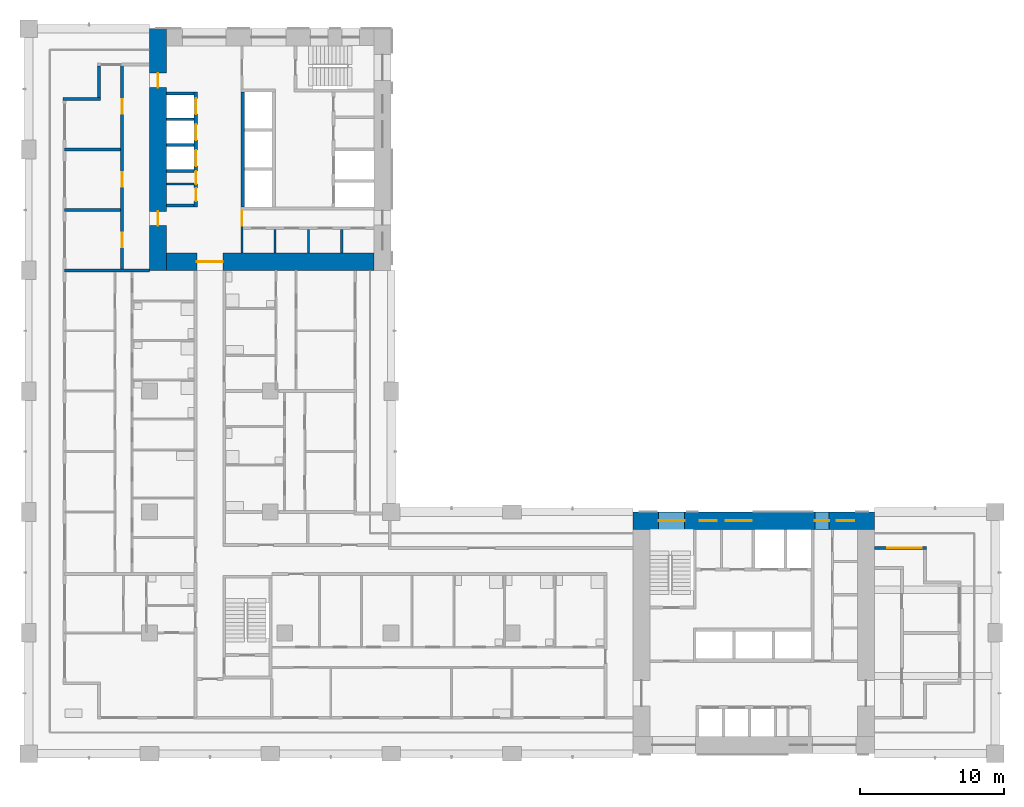
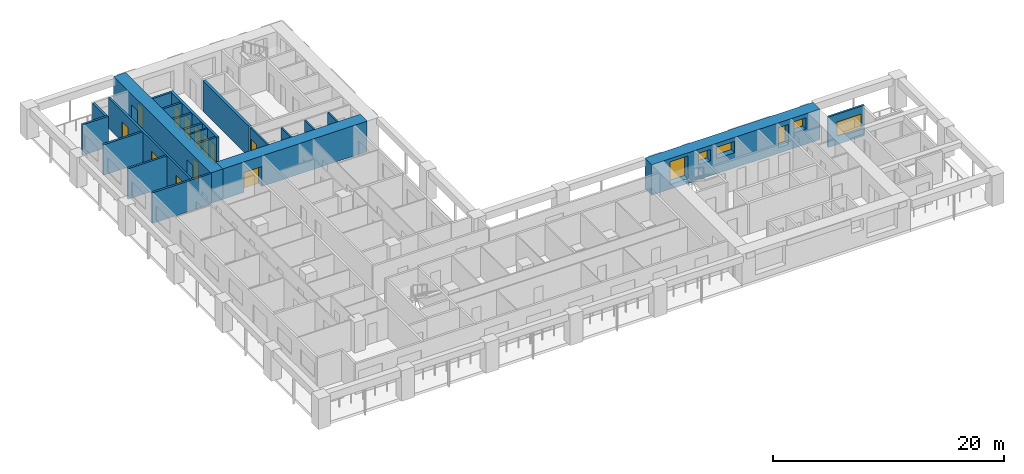
# One storey, part 7 of 17: 22 walls, 12 doors, 6 windows, 18 openings.
"""IFC4 building model written with IfcOpenShell, lengths in metres."""

import ifcopenshell
import ifcopenshell.guid

model = None  # the IFC model being written
_history = None  # IfcOwnerHistory: only IFC2X3 demands one
_inside = {}  # id of a spatial element -> (the spatial element, [elements in it])
_under = {}  # id of a project, library or spatial element -> (it, [spatial elements below it])
_declared = {}  # id of a project -> (the project, [libraries it declares])
_typed = {}  # id of a type object -> (the type object, [elements of that type])
_made_of = {}  # id of a material, layer set ... -> (it, [elements and type objects made of it])


def new_model(schema):
    """Start an empty IFC model of exactly this schema.

    Asked for "IFC4X3", IfcOpenShell would pick the latest addendum, in which some entities
    have other attributes; the version numbers below select the first issue.
    IFC2X3 requires an IfcOwnerHistory on every rooted entity: one is made here for all.
    """
    global model, _history
    if schema == "IFC4X3":
        model = ifcopenshell.file(schema_version=(4, 3, 0, 0))
    else:
        model = ifcopenshell.file(schema=schema)
    _inside.clear()
    _under.clear()
    _declared.clear()
    _typed.clear()
    _made_of.clear()
    _history = None
    if model.schema == "IFC2X3":
        org = make("IfcOrganization", Name="unknown")
        user = make(
            "IfcPersonAndOrganization",
            ThePerson=make("IfcPerson", FamilyName="unknown"),
            TheOrganization=org,
        )
        app = make(
            "IfcApplication",
            ApplicationDeveloper=org,
            Version="unknown",
            ApplicationFullName="unknown",
            ApplicationIdentifier="unknown",
        )
        _history = make(
            "IfcOwnerHistory",
            OwningUser=user,
            OwningApplication=app,
            ChangeAction="ADDED",
            CreationDate=0,
        )
    return model


def make(cls, **values):
    """One entity of the class cls with the attributes given. An attribute that is None is left unset."""
    return model.create_entity(
        cls, **{name: value for name, value in values.items() if value is not None}
    )


def rooted(cls, **values):
    """An entity with a GlobalId (a new one), such as an element, a storey or a relation."""
    return make(cls, GlobalId=ifcopenshell.guid.new(), OwnerHistory=_history, **values)


def si_unit(unit_type, name, prefix=None):
    """IfcSIUnit, for example si_unit("LENGTHUNIT", "METRE", prefix="MILLI")."""
    return make("IfcSIUnit", UnitType=unit_type, Prefix=prefix, Name=name)


def assignment(units):
    """IfcUnitAssignment: the units of a project."""
    return None if units is None else make("IfcUnitAssignment", Units=units)


def point(xyz):
    """IfcCartesianPoint."""
    return None if xyz is None else make("IfcCartesianPoint", Coordinates=xyz)


def direction(xyz):
    """IfcDirection."""
    return None if xyz is None else make("IfcDirection", DirectionRatios=xyz)


def frame(location, z_axis=None, x_axis=None):
    """IfcAxis2Placement3D, a coordinate frame: its origin and axes. An axis left out is left unset."""
    return make(
        "IfcAxis2Placement3D",
        Location=point(location),
        Axis=direction(z_axis),
        RefDirection=direction(x_axis),
    )


def frame_2d(location, x_axis=None):
    """IfcAxis2Placement2D, a coordinate frame in the plane: its origin and x axis."""
    return make(
        "IfcAxis2Placement2D", Location=point(location), RefDirection=direction(x_axis)
    )


def origin():
    """The frame at (0, 0, 0) with its axes left unset."""
    return frame((0.0, 0.0, 0.0))


def place(relative_to, where):
    """IfcLocalPlacement: puts the frame where relative to a parent placement (None: the world)."""
    return make(
        "IfcLocalPlacement", PlacementRelTo=relative_to, RelativePlacement=where
    )


def context(
    kind, dimensions, precision=None, world=None, true_north=None, identifier=None
):
    """IfcGeometricRepresentationContext, for example the 3D "Model" context."""
    return make(
        "IfcGeometricRepresentationContext",
        ContextIdentifier=identifier,
        ContextType=kind,
        CoordinateSpaceDimension=dimensions,
        Precision=precision,
        WorldCoordinateSystem=world,
        TrueNorth=true_north,
    )


def subcontext(parent, identifier, kind, view, scale=None):
    """IfcGeometricRepresentationSubContext, for example "Body" below "Model"."""
    return make(
        "IfcGeometricRepresentationSubContext",
        ContextIdentifier=identifier,
        ContextType=kind,
        ParentContext=parent,
        TargetScale=scale,
        TargetView=view,
    )


def project(units=None, contexts=None):
    """IfcProject with its units and contexts."""
    return rooted(
        "IfcProject",
        Name="project",
        RepresentationContexts=contexts,
        UnitsInContext=assignment(units),
    )


def spatial(cls, under=None, at=None, **own):
    """A site, building, storey or space (cls), placed at a placement, below another one or the project."""
    s = rooted(cls, ObjectPlacement=at, **own)
    if under is not None:
        _under.setdefault(under.id(), (under, []))[1].append(s)
    return s


def profile(cls, at=None, kind="AREA", **sizes):
    """A parametric profile (cls). Its sizes go by their IFC names, for example OverallWidth=200.0."""
    return make(cls, ProfileType=kind, Position=at, **sizes)


def rectangle(**sizes):
    """IfcRectangleProfileDef."""
    return profile("IfcRectangleProfileDef", **sizes)


def extrude(swept, where, along, depth):
    """IfcExtrudedAreaSolid: the profile swept, set in the frame where, extruded along a direction by depth."""
    return make(
        "IfcExtrudedAreaSolid",
        SweptArea=swept,
        Position=where,
        ExtrudedDirection=direction(along),
        Depth=depth,
    )


def shape(context_of_items, identifier, shape_type, items):
    """IfcShapeRepresentation: the items that make up one representation, for example the "Body"."""
    return make(
        "IfcShapeRepresentation",
        ContextOfItems=context_of_items,
        RepresentationIdentifier=identifier,
        RepresentationType=shape_type,
        Items=items,
    )


def material(Name=None, Category=None):
    """IfcMaterial."""
    return make("IfcMaterial", Name=Name, Category=Category)


def layer(
    of_material, thickness, ventilated=None, Name=None, Category=None, Priority=None
):
    """IfcMaterialLayer: one layer of a wall or slab, of a material (None: an air gap)."""
    return make(
        "IfcMaterialLayer",
        Material=of_material,
        LayerThickness=thickness,
        IsVentilated=ventilated,
        Name=Name,
        Category=Category,
        Priority=Priority,
    )


def layer_set(layers, Name=None):
    """IfcMaterialLayerSet."""
    return make("IfcMaterialLayerSet", MaterialLayers=layers, LayerSetName=Name)


def made_of(thing, what):
    """Note that an element or type object is made of a material, layer set ...; save() writes the relation."""
    if what is not None:
        _made_of.setdefault(what.id(), (what, []))[1].append(thing)
    return thing


def type_object(cls, material=None, **own):
    """A type object (cls), such as IfcWallType, which elements share."""
    return made_of(rooted(cls, **own), material)


def element(
    cls,
    number,
    at=None,
    inside=None,
    cuts=None,
    type_object=None,
    material=None,
    context=None,
    identifier="Body",
    shape_type=None,
    held_by="IfcProductDefinitionShape",
    body=None,
    shapes=None,
    **own,
):
    """One element of the class cls, such as IfcWall. Its Tag is "e" and its number.

    at: its placement. inside: the storey or other place that contains it. cuts: it is an
    opening in that element (IfcRelVoidsElement). A single representation is given by context,
    identifier, shape_type and body (its items); several are given by shapes. held_by: the class
    of the entity that holds the representations. save() writes the other relations.
    """
    e = rooted(cls, Tag="e%d" % number, ObjectPlacement=at, **own)
    if body is not None:
        shapes = [shape(context, identifier, shape_type, body)]
    if shapes is not None:
        e.Representation = make(held_by, Representations=shapes)
    if inside is not None:
        _inside.setdefault(inside.id(), (inside, []))[1].append(e)
    if cuts is not None:
        rooted(
            "IfcRelVoidsElement", RelatingBuildingElement=cuts, RelatedOpeningElement=e
        )
    if type_object is not None:
        _typed.setdefault(type_object.id(), (type_object, []))[1].append(e)
    return made_of(e, material)


def fill(opening, filler):
    """IfcRelFillsElement: the door or window that sits in an opening."""
    return rooted(
        "IfcRelFillsElement",
        RelatingOpeningElement=opening,
        RelatedBuildingElement=filler,
    )


def aggregate(whole, parts):
    """IfcRelAggregates: a whole, such as a stair, and the parts it consists of."""
    return rooted("IfcRelAggregates", RelatingObject=whole, RelatedObjects=parts)


def save(model, path):
    """Write the relations noted so far, then the file.

    IfcRelAggregates (storeys below a building ...), IfcRelContainedInSpatialStructure (elements
    in a storey), IfcRelDefinesByType, IfcRelAssociatesMaterial and IfcRelDeclares: one each for
    every whole, place, type object, material and project.
    """
    for whole, parts in _under.values():
        aggregate(whole, parts)
    for where, things in _inside.values():
        rooted(
            "IfcRelContainedInSpatialStructure",
            RelatedElements=things,
            RelatingStructure=where,
        )
    for kind, things in _typed.values():
        rooted("IfcRelDefinesByType", RelatedObjects=things, RelatingType=kind)
    for what, things in _made_of.values():
        rooted("IfcRelAssociatesMaterial", RelatedObjects=things, RelatingMaterial=what)
    for by, libraries in _declared.values():
        rooted("IfcRelDeclares", RelatingContext=by, RelatedDefinitions=libraries)
    model.write(path)


model = new_model("IFC4")

# Units and contexts
model_context = context("Model", 3, precision=1e-05, world=origin(), true_north=direction((0.0, 1.0)))
body_context = subcontext(model_context, "Body", "Model", "MODEL_VIEW")
ifc_project = project(units=[si_unit("LENGTHUNIT", "METRE"), si_unit("AREAUNIT", "SQUARE_METRE"), si_unit("VOLUMEUNIT", "CUBIC_METRE"), si_unit("PLANEANGLEUNIT", "RADIAN"), si_unit("MASSUNIT", "GRAM", prefix="KILO")], contexts=[model_context])

# Site, building, storey
site_placement = place(None, origin())
site = spatial("IfcSite", under=ifc_project, at=site_placement, CompositionType="ELEMENT")
building_placement = place(site_placement, origin())
building = spatial("IfcBuilding", under=site, at=building_placement, Name="Vermilion Gate Residences", CompositionType="ELEMENT")
storey_placement = place(building_placement, frame((0.0, 0.0, 98.699951171875)))
storey = spatial("IfcBuildingStorey", under=building, at=storey_placement, Name="L24", CompositionType="ELEMENT", Elevation=98.699951171875)

# Wall
ifc_material_1 = material(Name="Masonry blockwork", Category="masonry")
ifc_layer_1 = layer(ifc_material_1, 0.14990234375)
ifc_layer_set_1 = layer_set([ifc_layer_1], Name="BLOCKWORK PARTITION 150 EI 120")
wall_type_1 = type_object("IfcWallType", Name="BLOCKWORK PARTITION 150 EI 120", PredefinedType="PARTITIONING", material=ifc_layer_set_1)
wall_1_placement = place(storey_placement, frame((9.60009765625, 48.007568359375, 0.0), z_axis=(0.0, 0.0, 1.0), x_axis=(1.0, 0.0, 0.0)))
element("IfcWall", 1, at=wall_1_placement, inside=storey, type_object=wall_type_1, Name="Core room partition B24-SR-P0", PredefinedType="PARTITIONING", context=body_context, shape_type="SweptSolid", body=[
    extrude(rectangle(XDim=1.89990234375, YDim=0.14990234375, at=frame_2d((0.949951171875, 0.0))), origin(), (0.0, 0.0, 1.0), 3.219970703125),
])

# Wall, opening, door
wall_2_placement = place(storey_placement, frame((14.824951171875, 46.199951171875, 0.0), z_axis=(0.0, 0.0, 1.0), x_axis=(0.0, -1.0, 0.0)))
wall_2 = element("IfcWall", 2, at=wall_2_placement, inside=storey, type_object=wall_type_1, Name="Core room partition B24-ES-S", PredefinedType="PARTITIONING", context=body_context, shape_type="SweptSolid", body=[
    extrude(rectangle(XDim=3.0, YDim=0.14990234375, at=frame_2d((1.5, 0.0))), origin(), (0.0, 0.0, 1.0), 3.219970703125),
])
opening_1_placement = place(wall_2_placement, frame((0.10009765625, 0.0, 0.0)))
opening_1 = element("IfcOpeningElement", 3, at=opening_1_placement, cuts=wall_2, Name="Opening DK24115", PredefinedType="OPENING", context=body_context, shape_type="SweptSolid", body=[
    extrude(rectangle(XDim=1.0, YDim=2.10009765625, at=frame_2d((0.5, 1.050048828125))), frame((0.0, 0.0849609375, 0.0), z_axis=(0.0, -1.0, 0.0), x_axis=(1.0, 0.0, 0.0)), (0.0, 0.0, 1.0), 0.169921875),
])
ifc_material_2 = material(Name="Steel", Category="steel")
door_type_1 = type_object("IfcDoorType", Name="FIRE DOOR FD60 1000 X 2100", OperationType="SINGLE_SWING_LEFT", PredefinedType="DOOR", material=ifc_material_2)
door_1_placement = place(opening_1_placement, frame((1.0, 0.0, 0.0), z_axis=(0.0, 0.0, 1.0), x_axis=(-1.0, 0.0, 0.0)))
door_1 = element("IfcDoor", 4, at=door_1_placement, inside=storey, type_object=door_type_1, Name="Service corridor door B24", OperationType="SINGLE_SWING_LEFT", OverallHeight=2.10009765625, OverallWidth=1.0, PredefinedType="DOOR", context=body_context, shape_type="SweptSolid", body=[
    extrude(rectangle(XDim=1.0, YDim=2.10009765625, at=frame_2d((0.5, 1.050048828125))), frame((0.0, 0.02490234375, 0.0), z_axis=(0.0, -1.0, 0.0), x_axis=(1.0, 0.0, 0.0)), (0.0, 0.0, 1.0), 0.050048828125),
])
fill(opening_1, door_1)

# Walls
for number, where, z_axis, x_axis, name in (
    (5, (17.137451171875, 44.85009765625, 0.0), (0.0, 0.0, 1.0), (0.0, -1.0, 0.0), "Core room partition B24-ES-P0"),
    (6, (19.449951171875, 44.85009765625, 0.0), (0.0, 0.0, 1.0), (0.0, -1.0, 0.0), "Core room partition B24-ES-P1"),
    (7, (21.762451171875, 44.85009765625, 0.0), (0.0, 0.0, 1.0), (0.0, -1.0, 0.0), "Core room partition B24-ES-P2"),
):
    element("IfcWall", number, at=place(storey_placement, frame(where, z_axis=z_axis, x_axis=x_axis)), inside=storey, type_object=wall_type_1, Name=name, PredefinedType="PARTITIONING", context=body_context, shape_type="SweptSolid", body=[
        extrude(rectangle(XDim=1.650146484375, YDim=0.14990234375, at=frame_2d((0.8251953125, 0.0))), origin(), (0.0, 0.0, 1.0), 3.219970703125),
    ])
ifc_material_3 = material(Name="Insulated steel stud wall with terracotta rainscreen", Category="masonry")
ifc_layer_2 = layer(ifc_material_3, 0.199951171875)
ifc_layer_set_2 = layer_set([ifc_layer_2], Name="EXTERNAL WALL 200 TERRACOTTA RAINSCREEN")
wall_type_2 = type_object("IfcWallType", Name="EXTERNAL WALL 200 TERRACOTTA RAINSCREEN", PredefinedType="SOLIDWALL", material=ifc_layer_set_2)
wall_3_placement = place(storey_placement, frame((4.89990234375, 56.199951171875, 0.0), z_axis=(0.0, 0.0, 1.0), x_axis=(0.0, -1.0, 0.0)))
element("IfcWall", 8, at=wall_3_placement, inside=storey, type_object=wall_type_2, Name="External wall", PredefinedType="SOLIDWALL", context=body_context, shape_type="SweptSolid", body=[
    extrude(rectangle(XDim=2.199951171875, YDim=0.199951171875, at=frame_2d((1.10009765625, 0.0))), origin(), (0.0, 0.0, 1.0), 3.219970703125),
])
wall_4_placement = place(storey_placement, frame((5.0, 53.89990234375, 0.0), z_axis=(0.0, 0.0, 1.0), x_axis=(-1.0, 0.0, 0.0)))
element("IfcWall", 9, at=wall_4_placement, inside=storey, type_object=wall_type_2, Name="External wall", PredefinedType="SOLIDWALL", context=body_context, shape_type="SweptSolid", body=[
    extrude(rectangle(XDim=2.60009765625, YDim=0.199951171875, at=frame_2d((1.300048828125, 0.0))), origin(), (0.0, 0.0, 1.0), 3.219970703125),
])

# Wall, opening, window
wall_5_placement = place(storey_placement, frame((62.39990234375, 22.699951171875, 0.0), z_axis=(0.0, 0.0, 1.0), x_axis=(-1.0, 0.0, 0.0)))
wall_5 = element("IfcWall", 10, at=wall_5_placement, inside=storey, type_object=wall_type_2, Name="External wall", PredefinedType="SOLIDWALL", context=body_context, shape_type="SweptSolid", body=[
    extrude(rectangle(XDim=3.599853515625, YDim=0.199951171875, at=frame_2d((1.7998046875, 0.0))), origin(), (0.0, 0.0, 1.0), 3.219970703125),
])
opening_2_placement = place(wall_5_placement, frame((0.300048828125, 0.0, 0.89990234375)))
opening_2 = element("IfcOpeningElement", 11, at=opening_2_placement, cuts=wall_5, Name="Opening WE24023", PredefinedType="OPENING", context=body_context, shape_type="SweptSolid", body=[
    extrude(rectangle(XDim=2.39990234375, YDim=1.5, at=frame_2d((1.199951171875, 0.75))), frame((0.0, 0.10986328125, 0.0), z_axis=(0.0, -1.0, 0.0), x_axis=(1.0, 0.0, 0.0)), (0.0, 0.0, 1.0), 0.219970703125),
])
ifc_material_4 = material(Name="Aluminium and clear glass", Category="aluminium")
window_type_1 = type_object("IfcWindowType", Name="WINDOW 2400 X 1500", PartitioningType="SINGLE_PANEL", PredefinedType="WINDOW", material=ifc_material_4)
window_1_placement = place(opening_2_placement, origin())
window_1 = element("IfcWindow", 12, at=window_1_placement, inside=storey, type_object=window_type_1, Name="Window", OverallHeight=1.5, OverallWidth=2.39990234375, PartitioningType="SINGLE_PANEL", PredefinedType="WINDOW", context=body_context, shape_type="SweptSolid", body=[
    extrude(rectangle(XDim=2.39990234375, YDim=1.5, at=frame_2d((1.199951171875, 0.75))), frame((0.0, 0.030029296875, 0.0), z_axis=(0.0, -1.0, 0.0), x_axis=(1.0, 0.0, 0.0)), (0.0, 0.0, 1.0), 0.06005859375),
])
fill(opening_2, window_1)

# Walls
ifc_material_5 = material(Name="Fire-rated plasterboard on steel studs", Category="steel")
ifc_layer_3 = layer(ifc_material_5, 0.199951171875)
ifc_layer_set_3 = layer_set([ifc_layer_3], Name="PARTY WALL 200 EI 120")
wall_type_3 = type_object("IfcWallType", Name="PARTY WALL 200 EI 120", PredefinedType="PARTITIONING", material=ifc_layer_set_3)
wall_6_placement = place(storey_placement, frame((2.5, 42.0, 0.0), z_axis=(0.0, 0.0, 1.0), x_axis=(1.0, 0.0, 0.0)))
element("IfcWall", 13, at=wall_6_placement, inside=storey, type_object=wall_type_3, Name="Party and corridor wall", PredefinedType="PARTITIONING", context=body_context, shape_type="SweptSolid", body=[
    extrude(rectangle(XDim=5.89990234375, YDim=0.199951171875, at=frame_2d((2.949951171875, 0.0))), origin(), (0.0, 0.0, 1.0), 3.219970703125),
])
for number, where, z_axis, x_axis, name in (
    (14, (2.5, 46.199951171875, 0.0), (0.0, 0.0, 1.0), (1.0, 0.0, 0.0), "Party and corridor wall"),
    (15, (2.5, 50.39990234375, 0.0), (0.0, 0.0, 1.0), (1.0, 0.0, 0.0), "Party and corridor wall"),
):
    element("IfcWall", number, at=place(storey_placement, frame(where, z_axis=z_axis, x_axis=x_axis)), inside=storey, type_object=wall_type_3, Name=name, PredefinedType="PARTITIONING", context=body_context, shape_type="SweptSolid", body=[
        extrude(rectangle(XDim=3.89990234375, YDim=0.199951171875, at=frame_2d((1.949951171875, 0.0))), origin(), (0.0, 0.0, 1.0), 3.219970703125),
    ])

# Wall, openings, doors
wall_7_placement = place(storey_placement, frame((6.5, 42.10009765625, 0.0), z_axis=(0.0, 0.0, 1.0), x_axis=(0.0, 1.0, 0.0)))
wall_7 = element("IfcWall", 16, at=wall_7_placement, inside=storey, type_object=wall_type_3, Name="Party and corridor wall", PredefinedType="PARTITIONING", context=body_context, shape_type="SweptSolid", body=[
    extrude(rectangle(XDim=14.199951171875, YDim=0.199951171875, at=frame_2d((7.10009765625, 0.0))), origin(), (0.0, 0.0, 1.0), 3.219970703125),
])
opening_3_placement = place(wall_7_placement, frame((1.5, 0.0, 0.0)))
opening_3 = element("IfcOpeningElement", 17, at=opening_3_placement, cuts=wall_7, Name="Opening DA22022", PredefinedType="OPENING", context=body_context, shape_type="SweptSolid", body=[
    extrude(rectangle(XDim=1.0, YDim=2.10009765625, at=frame_2d((0.5, 1.050048828125))), frame((0.0, 0.10986328125, 0.0), z_axis=(0.0, -1.0, 0.0), x_axis=(1.0, 0.0, 0.0)), (0.0, 0.0, 1.0), 0.219970703125),
])
opening_4_placement = place(wall_7_placement, frame((5.699951171875, 0.0, 0.0)))
opening_4 = element("IfcOpeningElement", 18, at=opening_4_placement, cuts=wall_7, Name="Opening DA22023", PredefinedType="OPENING", context=body_context, shape_type="SweptSolid", body=[
    extrude(rectangle(XDim=1.0, YDim=2.10009765625, at=frame_2d((0.5, 1.050048828125))), frame((0.0, 0.10986328125, 0.0), z_axis=(0.0, -1.0, 0.0), x_axis=(1.0, 0.0, 0.0)), (0.0, 0.0, 1.0), 0.219970703125),
])
opening_5_placement = place(wall_7_placement, frame((10.800048828125, 0.0, 0.0)))
opening_5 = element("IfcOpeningElement", 19, at=opening_5_placement, cuts=wall_7, Name="Opening DA22024", PredefinedType="OPENING", context=body_context, shape_type="SweptSolid", body=[
    extrude(rectangle(XDim=1.0, YDim=2.10009765625, at=frame_2d((0.5, 1.050048828125))), frame((0.0, 0.10986328125, 0.0), z_axis=(0.0, -1.0, 0.0), x_axis=(1.0, 0.0, 0.0)), (0.0, 0.0, 1.0), 0.219970703125),
])
ifc_material_6 = material(Name="Steel", Category="steel")
door_type_2 = type_object("IfcDoorType", Name="ENTRANCE DOOR 1000 X 2100 FD30", OperationType="SINGLE_SWING_LEFT", PredefinedType="DOOR", material=ifc_material_6)
door_2_placement = place(opening_3_placement, origin())
door_2 = element("IfcDoor", 20, at=door_2_placement, inside=storey, type_object=door_type_2, Name="Entrance door", OperationType="SINGLE_SWING_LEFT", OverallHeight=2.10009765625, OverallWidth=1.0, PredefinedType="DOOR", context=body_context, shape_type="SweptSolid", body=[
    extrude(rectangle(XDim=1.0, YDim=2.10009765625, at=frame_2d((0.5, 1.050048828125))), frame((0.0, 0.02490234375, 0.0), z_axis=(0.0, -1.0, 0.0), x_axis=(1.0, 0.0, 0.0)), (0.0, 0.0, 1.0), 0.050048828125),
])
fill(opening_3, door_2)
door_3_placement = place(opening_4_placement, origin())
door_3 = element("IfcDoor", 21, at=door_3_placement, inside=storey, type_object=door_type_2, Name="Entrance door", OperationType="SINGLE_SWING_RIGHT", OverallHeight=2.10009765625, OverallWidth=1.0, PredefinedType="DOOR", context=body_context, shape_type="SweptSolid", body=[
    extrude(rectangle(XDim=1.0, YDim=2.10009765625, at=frame_2d((0.5, 1.050048828125))), frame((0.0, 0.02490234375, 0.0), z_axis=(0.0, -1.0, 0.0), x_axis=(1.0, 0.0, 0.0)), (0.0, 0.0, 1.0), 0.050048828125),
])
fill(opening_4, door_3)
door_4_placement = place(opening_5_placement, origin())
door_4 = element("IfcDoor", 22, at=door_4_placement, inside=storey, type_object=door_type_2, Name="Entrance door", OperationType="SINGLE_SWING_RIGHT", OverallHeight=2.10009765625, OverallWidth=1.0, PredefinedType="DOOR", context=body_context, shape_type="SweptSolid", body=[
    extrude(rectangle(XDim=1.0, YDim=2.10009765625, at=frame_2d((0.5, 1.050048828125))), frame((0.0, 0.02490234375, 0.0), z_axis=(0.0, -1.0, 0.0), x_axis=(1.0, 0.0, 0.0)), (0.0, 0.0, 1.0), 0.050048828125),
])
fill(opening_5, door_4)

# Walls
ifc_material_7 = material(Name="Concrete C60", Category="concrete")
ifc_layer_4 = layer(ifc_material_7, 0.199951171875)
ifc_layer_set_4 = layer_set([ifc_layer_4], Name="RC CORE INTERNAL WALL 200 C60")
wall_type_4 = type_object("IfcWallType", Name="RC CORE INTERNAL WALL 200 C60", PredefinedType="SHEAR", material=ifc_layer_set_4)
for number, where, z_axis, x_axis, name in (
    (23, (9.60009765625, 54.300048828125, 0.0), (0.0, 0.0, 1.0), (1.0, 0.0, 0.0), "Core internal wall B24-LR-D0"),
    (24, (9.60009765625, 52.5, 0.0), (0.0, 0.0, 1.0), (1.0, 0.0, 0.0), "Core internal wall B24-LR-D1"),
    (25, (9.60009765625, 50.699951171875, 0.0), (0.0, 0.0, 1.0), (1.0, 0.0, 0.0), "Core internal wall B24-LR-D2"),
    (26, (9.60009765625, 48.89990234375, 0.0), (0.0, 0.0, 1.0), (1.0, 0.0, 0.0), "Core internal wall B24-LR-D3"),
    (27, (9.60009765625, 46.5, 0.0), (0.0, 0.0, 1.0), (1.0, 0.0, 0.0), "Core internal wall B24-LR-DE"),
):
    element("IfcWall", number, at=place(storey_placement, frame(where, z_axis=z_axis, x_axis=x_axis)), inside=storey, type_object=wall_type_4, Name=name, PredefinedType="SHEAR", context=body_context, shape_type="SweptSolid", body=[
        extrude(rectangle(XDim=1.89990234375, YDim=0.199951171875, at=frame_2d((0.949951171875, 0.0))), origin(), (0.0, 0.0, 1.0), 3.219970703125),
    ])

# Wall, openings, doors
ifc_material_8 = material(Name="Concrete C70", Category="concrete")
ifc_layer_5 = layer(ifc_material_8, 1.199951171875)
ifc_layer_set_5 = layer_set([ifc_layer_5], Name="RC CORE WALL 1200 C70")
wall_type_5 = type_object("IfcWallType", Name="RC CORE WALL 1200 C70", PredefinedType="SHEAR", material=ifc_layer_set_5)
wall_8_placement = place(storey_placement, frame((9.0, 58.800048828125, 0.0), z_axis=(0.0, 0.0, 1.0), x_axis=(0.0, -1.0, 0.0)))
wall_8 = element("IfcWall", 28, at=wall_8_placement, inside=storey, type_object=wall_type_5, Name="Core wall B24-OUT-B0", PredefinedType="SHEAR", context=body_context, shape_type="SweptSolid", body=[
    extrude(rectangle(XDim=16.800048828125, YDim=1.199951171875, at=frame_2d((8.39990234375, 0.0))), origin(), (0.0, 0.0, 1.0), 3.219970703125),
])
opening_6_placement = place(wall_8_placement, frame((3.10009765625, 0.0, 0.0)))
opening_6 = element("IfcOpeningElement", 29, at=opening_6_placement, cuts=wall_8, Name="Opening DK24101", PredefinedType="OPENING", context=body_context, shape_type="SweptSolid", body=[
    extrude(rectangle(XDim=1.0, YDim=2.10009765625, at=frame_2d((0.5, 1.050048828125))), frame((0.0, 0.60986328125, 0.0), z_axis=(0.0, -1.0, 0.0), x_axis=(1.0, 0.0, 0.0)), (0.0, 0.0, 1.0), 1.219970703125),
])
opening_7_placement = place(wall_8_placement, frame((12.699951171875, 0.0, 0.0)))
opening_7 = element("IfcOpeningElement", 30, at=opening_7_placement, cuts=wall_8, Name="Opening DK24102", PredefinedType="OPENING", context=body_context, shape_type="SweptSolid", body=[
    extrude(rectangle(XDim=1.0, YDim=2.10009765625, at=frame_2d((0.5, 1.050048828125))), frame((0.0, 0.60986328125, 0.0), z_axis=(0.0, -1.0, 0.0), x_axis=(1.0, 0.0, 0.0)), (0.0, 0.0, 1.0), 1.219970703125),
])
door_5_placement = place(opening_6_placement, origin())
door_5 = element("IfcDoor", 31, at=door_5_placement, inside=storey, type_object=door_type_1, Name="Core lobby side door B24", OperationType="SINGLE_SWING_RIGHT", OverallHeight=2.10009765625, OverallWidth=1.0, PredefinedType="DOOR", context=body_context, shape_type="SweptSolid", body=[
    extrude(rectangle(XDim=1.0, YDim=2.10009765625, at=frame_2d((0.5, 1.050048828125))), frame((0.0, 0.02490234375, 0.0), z_axis=(0.0, -1.0, 0.0), x_axis=(1.0, 0.0, 0.0)), (0.0, 0.0, 1.0), 0.050048828125),
])
fill(opening_6, door_5)
door_6_placement = place(opening_7_placement, origin())
door_6 = element("IfcDoor", 32, at=door_6_placement, inside=storey, type_object=door_type_1, Name="Core lobby side door B24", OperationType="SINGLE_SWING_LEFT", OverallHeight=2.10009765625, OverallWidth=1.0, PredefinedType="DOOR", context=body_context, shape_type="SweptSolid", body=[
    extrude(rectangle(XDim=1.0, YDim=2.10009765625, at=frame_2d((0.5, 1.050048828125))), frame((0.0, 0.02490234375, 0.0), z_axis=(0.0, -1.0, 0.0), x_axis=(1.0, 0.0, 0.0)), (0.0, 0.0, 1.0), 0.050048828125),
])
fill(opening_7, door_6)

# Wall, opening, door
wall_9_placement = place(storey_placement, frame((9.60009765625, 42.60009765625, 0.0), z_axis=(0.0, 0.0, 1.0), x_axis=(1.0, 0.0, 0.0)))
wall_9 = element("IfcWall", 33, at=wall_9_placement, inside=storey, type_object=wall_type_5, Name="Core wall B24-OUT-BK", PredefinedType="SHEAR", context=body_context, shape_type="SweptSolid", body=[
    extrude(rectangle(XDim=14.39990234375, YDim=1.199951171875, at=frame_2d((7.199951171875, 0.0))), origin(), (0.0, 0.0, 1.0), 3.219970703125),
])
opening_8_placement = place(wall_9_placement, frame((2.10009765625, 0.0, 0.0)))
opening_8 = element("IfcOpeningElement", 34, at=opening_8_placement, cuts=wall_9, Name="Opening DK24103", PredefinedType="OPENING", context=body_context, shape_type="SweptSolid", body=[
    extrude(rectangle(XDim=1.800048828125, YDim=2.10009765625, at=frame_2d((0.89990234375, 1.050048828125))), frame((0.0, 0.60986328125, 0.0), z_axis=(0.0, -1.0, 0.0), x_axis=(1.0, 0.0, 0.0)), (0.0, 0.0, 1.0), 1.219970703125),
])
ifc_material_9 = material(Name="Steel", Category="steel")
door_type_3 = type_object("IfcDoorType", Name="CORE LOBBY DOOR FD60 1800 X 2100", OperationType="DOUBLE_DOOR_SINGLE_SWING", PredefinedType="DOOR", material=ifc_material_9)
door_7_placement = place(opening_8_placement, origin())
door_7 = element("IfcDoor", 35, at=door_7_placement, inside=storey, type_object=door_type_3, Name="Core lobby door B24", OperationType="DOUBLE_DOOR_SINGLE_SWING", OverallHeight=2.10009765625, OverallWidth=1.800048828125, PredefinedType="DOOR", context=body_context, shape_type="SweptSolid", body=[
    extrude(rectangle(XDim=1.800048828125, YDim=2.10009765625, at=frame_2d((0.89990234375, 1.050048828125))), frame((0.0, 0.02490234375, 0.0), z_axis=(0.0, -1.0, 0.0), x_axis=(1.0, 0.0, 0.0)), (0.0, 0.0, 1.0), 0.050048828125),
])
fill(opening_8, door_7)

# Wall, openings, windows
ifc_material_10 = material(Name="Concrete C70 red-oxide pigmented", Category="concrete")
ifc_layer_6 = layer(ifc_material_10, 1.199951171875)
ifc_layer_set_6 = layer_set([ifc_layer_6], Name="RC CORE WALL 1200 C70 RED OXIDE")
wall_type_6 = type_object("IfcWallType", Name="RC CORE WALL 1200 C70 RED OXIDE", PredefinedType="SHEAR", material=ifc_layer_set_6)
wall_10_placement = place(storey_placement, frame((42.0, 24.60009765625, 0.0), z_axis=(0.0, 0.0, 1.0), x_axis=(1.0, 0.0, 0.0)))
wall_10 = element("IfcWall", 36, at=wall_10_placement, inside=storey, type_object=wall_type_6, Name="Core wall A24-OUT-B1", PredefinedType="SHEAR", context=body_context, shape_type="SweptSolid", body=[
    extrude(rectangle(XDim=16.800048828125, YDim=1.199951171875, at=frame_2d((8.39990234375, 0.0))), origin(), (0.0, 0.0, 1.0), 3.219970703125),
])
opening_9_placement = place(wall_10_placement, frame((1.800048828125, 0.0, 0.5)))
opening_9 = element("IfcOpeningElement", 37, at=opening_9_placement, cuts=wall_10, Name="Opening WKA2404", PredefinedType="OPENING", context=body_context, shape_type="SweptSolid", body=[
    extrude(rectangle(XDim=1.800048828125, YDim=2.39990234375, at=frame_2d((0.89990234375, 1.199951171875))), frame((0.0, 0.60986328125, 0.0), z_axis=(0.0, -1.0, 0.0), x_axis=(1.0, 0.0, 0.0)), (0.0, 0.0, 1.0), 1.219970703125),
])
opening_10_placement = place(wall_10_placement, frame((4.643798828125, 0.0, 1.60009765625)))
opening_10 = element("IfcOpeningElement", 38, at=opening_10_placement, cuts=wall_10, Name="Opening WKA2405", PredefinedType="OPENING", context=body_context, shape_type="SweptSolid", body=[
    extrude(rectangle(XDim=1.199951171875, YDim=1.199951171875, at=frame_2d((0.60009765625, 0.60009765625))), frame((0.0, 0.60986328125, 0.0), z_axis=(0.0, -1.0, 0.0), x_axis=(1.0, 0.0, 0.0)), (0.0, 0.0, 1.0), 1.219970703125),
])
opening_11_placement = place(wall_10_placement, frame((6.449951171875, 0.0, 1.60009765625)))
opening_11 = element("IfcOpeningElement", 39, at=opening_11_placement, cuts=wall_10, Name="Opening WKA2406", PredefinedType="OPENING", context=body_context, shape_type="SweptSolid", body=[
    extrude(rectangle(XDim=1.800048828125, YDim=1.199951171875, at=frame_2d((0.89990234375, 0.60009765625))), frame((0.0, 0.60986328125, 0.0), z_axis=(0.0, -1.0, 0.0), x_axis=(1.0, 0.0, 0.0)), (0.0, 0.0, 1.0), 1.219970703125),
])
opening_12_placement = place(wall_10_placement, frame((12.64990234375, 0.0, 0.60009765625)))
opening_12 = element("IfcOpeningElement", 40, at=opening_12_placement, cuts=wall_10, Name="Opening WKA2407", PredefinedType="OPENING", context=body_context, shape_type="SweptSolid", body=[
    extrude(rectangle(XDim=1.0, YDim=2.10009765625, at=frame_2d((0.5, 1.050048828125))), frame((0.0, 0.60986328125, 0.0), z_axis=(0.0, -1.0, 0.0), x_axis=(1.0, 0.0, 0.0)), (0.0, 0.0, 1.0), 1.219970703125),
])
opening_13_placement = place(wall_10_placement, frame((14.175048828125, 0.0, 1.60009765625)))
opening_13 = element("IfcOpeningElement", 41, at=opening_13_placement, cuts=wall_10, Name="Opening WKA2408", PredefinedType="OPENING", context=body_context, shape_type="SweptSolid", body=[
    extrude(rectangle(XDim=1.199951171875, YDim=1.199951171875, at=frame_2d((0.60009765625, 0.60009765625))), frame((0.0, 0.60986328125, 0.0), z_axis=(0.0, -1.0, 0.0), x_axis=(1.0, 0.0, 0.0)), (0.0, 0.0, 1.0), 1.219970703125),
])
ifc_material_11 = material(Name="Aluminium and clear glass", Category="aluminium")
window_type_2 = type_object("IfcWindowType", Name="CORE CORRIDOR WINDOW 1000 X 2100", PartitioningType="SINGLE_PANEL", PredefinedType="WINDOW", material=ifc_material_11)
window_2_placement = place(opening_12_placement, origin())
window_2 = element("IfcWindow", 42, at=window_2_placement, inside=storey, type_object=window_type_2, Name="Core corridor window", OverallHeight=2.10009765625, OverallWidth=1.0, PartitioningType="SINGLE_PANEL", PredefinedType="WINDOW", context=body_context, shape_type="SweptSolid", body=[
    extrude(rectangle(XDim=1.0, YDim=2.10009765625, at=frame_2d((0.5, 1.050048828125))), frame((0.0, 0.030029296875, 0.0), z_axis=(0.0, -1.0, 0.0), x_axis=(1.0, 0.0, 0.0)), (0.0, 0.0, 1.0), 0.06005859375),
])
fill(opening_12, window_2)
ifc_material_12 = material(Name="Aluminium frame with louvre blades", Category="aluminium")
window_type_3 = type_object("IfcWindowType", Name="CORE LOUVRE 1200 X 1200", PartitioningType="SINGLE_PANEL", PredefinedType="WINDOW", material=ifc_material_12)
window_3_placement = place(opening_10_placement, origin())
window_3 = element("IfcWindow", 43, at=window_3_placement, inside=storey, type_object=window_type_3, Name="Core louvre", OverallHeight=1.199951171875, OverallWidth=1.199951171875, PartitioningType="SINGLE_PANEL", PredefinedType="WINDOW", context=body_context, shape_type="SweptSolid", body=[
    extrude(rectangle(XDim=1.199951171875, YDim=1.199951171875, at=frame_2d((0.60009765625, 0.60009765625))), frame((0.0, 0.030029296875, 0.0), z_axis=(0.0, -1.0, 0.0), x_axis=(1.0, 0.0, 0.0)), (0.0, 0.0, 1.0), 0.06005859375),
])
fill(opening_10, window_3)
window_4_placement = place(opening_13_placement, origin())
window_4 = element("IfcWindow", 44, at=window_4_placement, inside=storey, type_object=window_type_3, Name="Core louvre", OverallHeight=1.199951171875, OverallWidth=1.199951171875, PartitioningType="SINGLE_PANEL", PredefinedType="WINDOW", context=body_context, shape_type="SweptSolid", body=[
    extrude(rectangle(XDim=1.199951171875, YDim=1.199951171875, at=frame_2d((0.60009765625, 0.60009765625))), frame((0.0, 0.030029296875, 0.0), z_axis=(0.0, -1.0, 0.0), x_axis=(1.0, 0.0, 0.0)), (0.0, 0.0, 1.0), 0.06005859375),
])
fill(opening_13, window_4)
ifc_material_13 = material(Name="Aluminium frame with louvre blades", Category="aluminium")
window_type_4 = type_object("IfcWindowType", Name="CORE LOUVRE 1800 X 1200", PartitioningType="SINGLE_PANEL", PredefinedType="WINDOW", material=ifc_material_13)
window_5_placement = place(opening_11_placement, origin())
window_5 = element("IfcWindow", 45, at=window_5_placement, inside=storey, type_object=window_type_4, Name="Core louvre", OverallHeight=1.199951171875, OverallWidth=1.800048828125, PartitioningType="SINGLE_PANEL", PredefinedType="WINDOW", context=body_context, shape_type="SweptSolid", body=[
    extrude(rectangle(XDim=1.800048828125, YDim=1.199951171875, at=frame_2d((0.89990234375, 0.60009765625))), frame((0.0, 0.030029296875, 0.0), z_axis=(0.0, -1.0, 0.0), x_axis=(1.0, 0.0, 0.0)), (0.0, 0.0, 1.0), 0.06005859375),
])
fill(opening_11, window_5)
ifc_material_14 = material(Name="Aluminium and clear glass", Category="aluminium")
window_type_5 = type_object("IfcWindowType", Name="CORE STAIR WINDOW 1800 X 2400", PartitioningType="SINGLE_PANEL", PredefinedType="WINDOW", material=ifc_material_14)
window_6_placement = place(opening_9_placement, origin())
window_6 = element("IfcWindow", 46, at=window_6_placement, inside=storey, type_object=window_type_5, Name="Core stair window", OverallHeight=2.39990234375, OverallWidth=1.800048828125, PartitioningType="SINGLE_PANEL", PredefinedType="WINDOW", context=body_context, shape_type="SweptSolid", body=[
    extrude(rectangle(XDim=1.800048828125, YDim=2.39990234375, at=frame_2d((0.89990234375, 1.199951171875))), frame((0.0, 0.030029296875, 0.0), z_axis=(0.0, -1.0, 0.0), x_axis=(1.0, 0.0, 0.0)), (0.0, 0.0, 1.0), 0.06005859375),
])
fill(opening_9, window_6)

# Wall, openings, doors
ifc_material_15 = material(Name="Concrete C60", Category="concrete")
ifc_layer_7 = layer(ifc_material_15, 0.25)
ifc_layer_set_7 = layer_set([ifc_layer_7], Name="RC LIFT SHAFT WALL 250 C60")
wall_type_7 = type_object("IfcWallType", Name="RC LIFT SHAFT WALL 250 C60", PredefinedType="SHEAR", material=ifc_layer_set_7)
wall_11_placement = place(storey_placement, frame((11.625, 54.39990234375, 0.0), z_axis=(0.0, 0.0, 1.0), x_axis=(0.0, -1.0, 0.0)))
wall_11 = element("IfcWall", 47, at=wall_11_placement, inside=storey, type_object=wall_type_7, Name="Lift shaft wall B24-LR-F", PredefinedType="SHEAR", context=body_context, shape_type="SweptSolid", body=[
    extrude(rectangle(XDim=8.0, YDim=0.25, at=frame_2d((4.0, 0.0))), origin(), (0.0, 0.0, 1.0), 3.219970703125),
])
opening_14_placement = place(wall_11_placement, frame((0.449951171875, 0.0, 0.0)))
opening_14 = element("IfcOpeningElement", 48, at=opening_14_placement, cuts=wall_11, Name="Opening LD", PredefinedType="OPENING", context=body_context, shape_type="SweptSolid", body=[
    extrude(rectangle(XDim=1.10009765625, YDim=2.10009765625, at=frame_2d((0.550048828125, 1.050048828125))), frame((0.0, 0.135009765625, 0.0), z_axis=(0.0, -1.0, 0.0), x_axis=(1.0, 0.0, 0.0)), (0.0, 0.0, 1.0), 0.27001953125),
])
opening_15_placement = place(wall_11_placement, frame((2.25, 0.0, 0.0)))
opening_15 = element("IfcOpeningElement", 49, at=opening_15_placement, cuts=wall_11, Name="Opening LD", PredefinedType="OPENING", context=body_context, shape_type="SweptSolid", body=[
    extrude(rectangle(XDim=1.10009765625, YDim=2.10009765625, at=frame_2d((0.550048828125, 1.050048828125))), frame((0.0, 0.135009765625, 0.0), z_axis=(0.0, -1.0, 0.0), x_axis=(1.0, 0.0, 0.0)), (0.0, 0.0, 1.0), 0.27001953125),
])
opening_16_placement = place(wall_11_placement, frame((4.050048828125, 0.0, 0.0)))
opening_16 = element("IfcOpeningElement", 50, at=opening_16_placement, cuts=wall_11, Name="Opening LD", PredefinedType="OPENING", context=body_context, shape_type="SweptSolid", body=[
    extrude(rectangle(XDim=1.10009765625, YDim=2.10009765625, at=frame_2d((0.550048828125, 1.050048828125))), frame((0.0, 0.135009765625, 0.0), z_axis=(0.0, -1.0, 0.0), x_axis=(1.0, 0.0, 0.0)), (0.0, 0.0, 1.0), 0.27001953125),
])
opening_17_placement = place(wall_11_placement, frame((5.5087890625, 0.0, 0.0)))
opening_17 = element("IfcOpeningElement", 51, at=opening_17_placement, cuts=wall_11, Name="Opening DK24107", PredefinedType="OPENING", context=body_context, shape_type="SweptSolid", body=[
    extrude(rectangle(XDim=0.89990234375, YDim=2.10009765625, at=frame_2d((0.449951171875, 1.050048828125))), frame((0.0, 0.135009765625, 0.0), z_axis=(0.0, -1.0, 0.0), x_axis=(1.0, 0.0, 0.0)), (0.0, 0.0, 1.0), 0.27001953125),
])
opening_18_placement = place(wall_11_placement, frame((6.683837890625, 0.0, 0.0)))
opening_18 = element("IfcOpeningElement", 52, at=opening_18_placement, cuts=wall_11, Name="Opening DK24108", PredefinedType="OPENING", context=body_context, shape_type="SweptSolid", body=[
    extrude(rectangle(XDim=0.89990234375, YDim=2.10009765625, at=frame_2d((0.449951171875, 1.050048828125))), frame((0.0, 0.135009765625, 0.0), z_axis=(0.0, -1.0, 0.0), x_axis=(1.0, 0.0, 0.0)), (0.0, 0.0, 1.0), 0.27001953125),
])
ifc_material_16 = material(Name="Stainless steel", Category="steel")
door_type_4 = type_object("IfcDoorType", Name="LIFT LANDING DOOR E60 1100 X 2100", OperationType="DOUBLE_DOOR_SLIDING", PredefinedType="DOOR", material=ifc_material_16)
door_8_placement = place(opening_14_placement, origin())
door_8 = element("IfcDoor", 53, at=door_8_placement, inside=storey, type_object=door_type_4, Name="Lift landing door LRB1", OperationType="DOUBLE_DOOR_SLIDING", OverallHeight=2.10009765625, OverallWidth=1.10009765625, PredefinedType="DOOR", context=body_context, shape_type="SweptSolid", body=[
    extrude(rectangle(XDim=1.10009765625, YDim=2.10009765625, at=frame_2d((0.550048828125, 1.050048828125))), frame((0.0, 0.02490234375, 0.0), z_axis=(0.0, -1.0, 0.0), x_axis=(1.0, 0.0, 0.0)), (0.0, 0.0, 1.0), 0.050048828125),
])
fill(opening_14, door_8)
door_9_placement = place(opening_15_placement, origin())
door_9 = element("IfcDoor", 54, at=door_9_placement, inside=storey, type_object=door_type_4, Name="Lift landing door LRB2", OperationType="DOUBLE_DOOR_SLIDING", OverallHeight=2.10009765625, OverallWidth=1.10009765625, PredefinedType="DOOR", context=body_context, shape_type="SweptSolid", body=[
    extrude(rectangle(XDim=1.10009765625, YDim=2.10009765625, at=frame_2d((0.550048828125, 1.050048828125))), frame((0.0, 0.02490234375, 0.0), z_axis=(0.0, -1.0, 0.0), x_axis=(1.0, 0.0, 0.0)), (0.0, 0.0, 1.0), 0.050048828125),
])
fill(opening_15, door_9)
door_10_placement = place(opening_16_placement, origin())
door_10 = element("IfcDoor", 55, at=door_10_placement, inside=storey, type_object=door_type_4, Name="Lift landing door LRB3", OperationType="DOUBLE_DOOR_SLIDING", OverallHeight=2.10009765625, OverallWidth=1.10009765625, PredefinedType="DOOR", context=body_context, shape_type="SweptSolid", body=[
    extrude(rectangle(XDim=1.10009765625, YDim=2.10009765625, at=frame_2d((0.550048828125, 1.050048828125))), frame((0.0, 0.02490234375, 0.0), z_axis=(0.0, -1.0, 0.0), x_axis=(1.0, 0.0, 0.0)), (0.0, 0.0, 1.0), 0.050048828125),
])
fill(opening_16, door_10)
ifc_material_17 = material(Name="Steel", Category="steel")
door_type_5 = type_object("IfcDoorType", Name="SERVICE ROOM DOOR FD60 900 X 2100", OperationType="SINGLE_SWING_LEFT", PredefinedType="DOOR", material=ifc_material_17)
door_11_placement = place(opening_17_placement, origin())
door_11 = element("IfcDoor", 56, at=door_11_placement, inside=storey, type_object=door_type_5, Name="Communications room B24", OperationType="SINGLE_SWING_LEFT", OverallHeight=2.10009765625, OverallWidth=0.89990234375, PredefinedType="DOOR", context=body_context, shape_type="SweptSolid", body=[
    extrude(rectangle(XDim=0.89990234375, YDim=2.10009765625, at=frame_2d((0.449951171875, 1.050048828125))), frame((0.0, 0.02490234375, 0.0), z_axis=(0.0, -1.0, 0.0), x_axis=(1.0, 0.0, 0.0)), (0.0, 0.0, 1.0), 0.050048828125),
])
fill(opening_17, door_11)
door_12_placement = place(opening_18_placement, frame((0.89990234375, 0.0, 0.0), z_axis=(0.0, 0.0, 1.0), x_axis=(-1.0, 0.0, 0.0)))
door_12 = element("IfcDoor", 57, at=door_12_placement, inside=storey, type_object=door_type_5, Name="Refuse room B24", OperationType="SINGLE_SWING_RIGHT", OverallHeight=2.10009765625, OverallWidth=0.89990234375, PredefinedType="DOOR", context=body_context, shape_type="SweptSolid", body=[
    extrude(rectangle(XDim=0.89990234375, YDim=2.10009765625, at=frame_2d((0.449951171875, 1.050048828125))), frame((0.0, 0.02490234375, 0.0), z_axis=(0.0, -1.0, 0.0), x_axis=(1.0, 0.0, 0.0)), (0.0, 0.0, 1.0), 0.050048828125),
])
fill(opening_18, door_12)

# Wall
wall_12_placement = place(storey_placement, frame((14.875, 54.39990234375, 0.0), z_axis=(0.0, 0.0, 1.0), x_axis=(0.0, -1.0, 0.0)))
element("IfcWall", 58, at=wall_12_placement, inside=storey, type_object=wall_type_7, Name="Lift shaft wall B24-HR-F", PredefinedType="SHEAR", context=body_context, shape_type="SweptSolid", body=[
    extrude(rectangle(XDim=8.0, YDim=0.25, at=frame_2d((4.0, 0.0))), origin(), (0.0, 0.0, 1.0), 3.219970703125),
])

save(model, "model.ifc")
